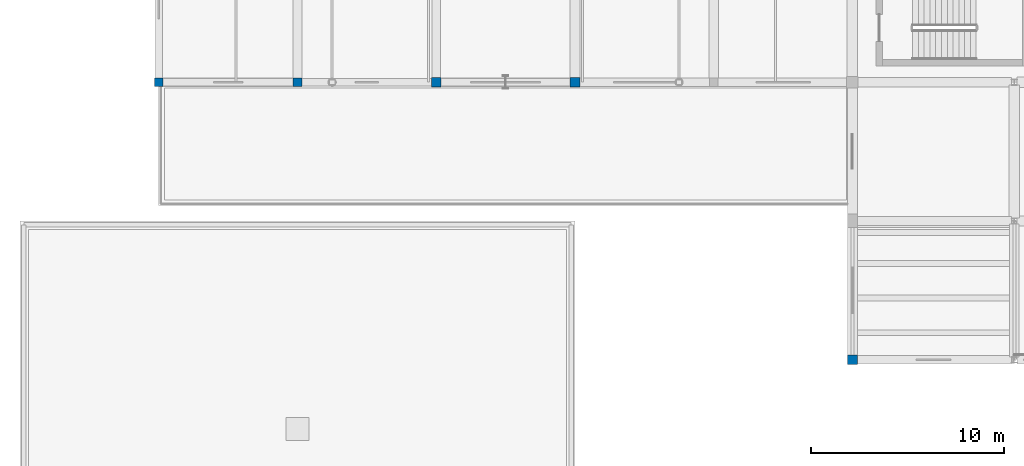
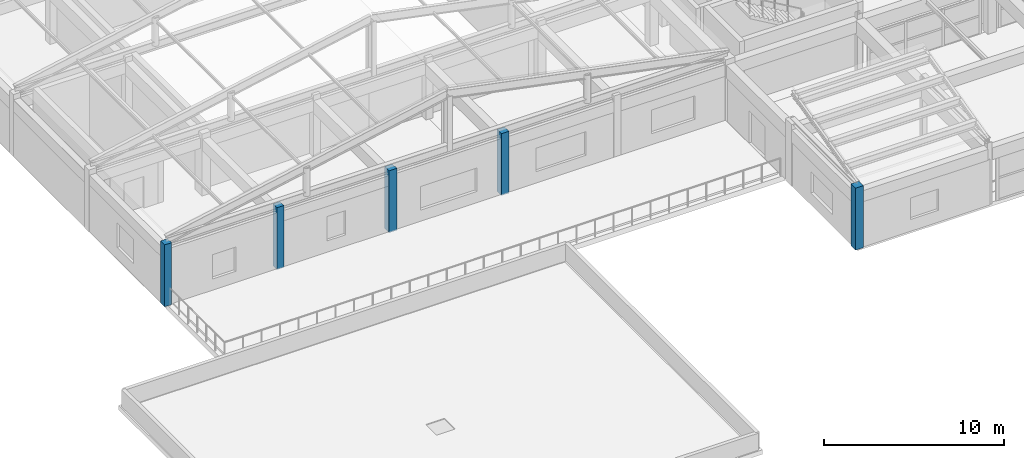
# One storey, part 1 of 74: 5 columns.
"""IFC4 building model written with IfcOpenShell, lengths in metres."""

from ifc_helpers import new_model, si_unit, direction, frame, origin, origin_2d, place, context, subcontext, project, spatial, rectangle, extrude, material, material_profile, profile_set, type_object, element, save


model = new_model("IFC4")

# Units and contexts
model_context = context("Model", 3, precision=1e-05, world=origin(), true_north=direction((0.0, 1.0)))
body_context = subcontext(model_context, "Body", "Model", "MODEL_VIEW")
ifc_project = project(units=[si_unit("LENGTHUNIT", "METRE"), si_unit("AREAUNIT", "SQUARE_METRE"), si_unit("VOLUMEUNIT", "CUBIC_METRE"), si_unit("PLANEANGLEUNIT", "RADIAN"), si_unit("MASSUNIT", "GRAM", prefix="KILO")], contexts=[model_context])

# Site, building, storey
site_placement = place(None, origin())
site = spatial("IfcSite", under=ifc_project, at=site_placement, CompositionType="ELEMENT")
building_placement = place(site_placement, origin())
building = spatial("IfcBuilding", under=site, at=building_placement, Name="Korsvaeld Concert Hall", CompositionType="ELEMENT")
storey_placement = place(building_placement, frame((0.0, 0.0, 9.0)))
storey = spatial("IfcBuildingStorey", under=building, at=storey_placement, Name="L02", CompositionType="ELEMENT", Elevation=9.0)

# Columns
ifc_material = material(Name="Concrete C40/50", Category="concrete")
ifc_material_profile_1 = material_profile(ifc_material, rectangle(XDim=0.449951171875, YDim=0.449951171875, at=origin_2d()), Name="RC 450x450")
ifc_profile_set_1 = profile_set([ifc_material_profile_1], Name="Concrete C40/50")
column_type_1 = type_object("IfcColumnType", Name="COL-RC-450x450", PredefinedType="COLUMN", material=ifc_profile_set_1)
for number, where, z_axis, x_axis, name in (
    (1, (14.39990234375, 43.199951171875, 0.0), (0.0, 0.0, 1.0), (1.0, 0.0, 0.0), "Column 3/G L02"),
    (2, (21.60009765625, 43.199951171875, 0.0), (0.0, 0.0, 1.0), (1.0, 0.0, 0.0), "Column 4/G L02"),
):
    element("IfcColumn", number, at=place(storey_placement, frame(where, z_axis=z_axis, x_axis=x_axis)), inside=storey, type_object=column_type_1, Name=name, PredefinedType="COLUMN", context=body_context, shape_type="SweptSolid", body=[
        extrude(rectangle(XDim=0.449951171875, YDim=0.449951171875, at=origin_2d()), origin(), (0.0, 0.0, 1.0), 4.199951171875),
    ])
ifc_material_profile_2 = material_profile(ifc_material, rectangle(XDim=0.5, YDim=0.5, at=origin_2d()), Name="RC 500x500")
ifc_profile_set_2 = profile_set([ifc_material_profile_2], Name="Concrete C40/50")
column_type_2 = type_object("IfcColumnType", Name="COL-RC-500x500", PredefinedType="COLUMN", material=ifc_profile_set_2)
for number, where, z_axis, x_axis, name in (
    (3, (28.800048828125, 43.199951171875, 0.0), (0.0, 0.0, 1.0), (1.0, 0.0, 0.0), "Column 5/G L02"),
    (4, (36.0, 43.199951171875, 0.0), (0.0, 0.0, 1.0), (1.0, 0.0, 0.0), "Column 6/G L02"),
    (5, (50.39990234375, 28.800048828125, 0.0), (0.0, 0.0, 1.0), (1.0, 0.0, 0.0), "Column 8/E L02"),
):
    element("IfcColumn", number, at=place(storey_placement, frame(where, z_axis=z_axis, x_axis=x_axis)), inside=storey, type_object=column_type_2, Name=name, PredefinedType="COLUMN", context=body_context, shape_type="SweptSolid", body=[
        extrude(rectangle(XDim=0.5, YDim=0.5, at=origin_2d()), origin(), (0.0, 0.0, 1.0), 4.199951171875),
    ])

save(model, "model.ifc")
